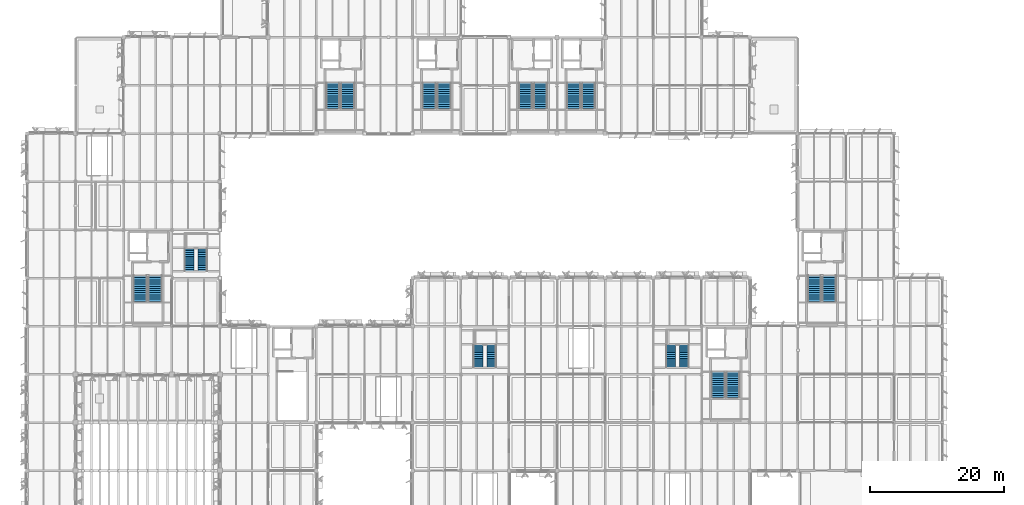
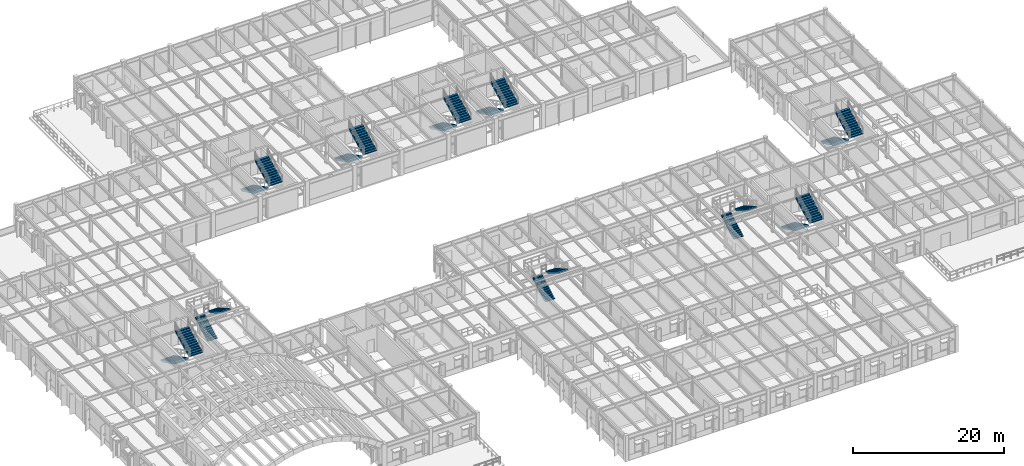
# One storey, part 44 of 85: 20 stair flights, 10 elements without a shape of their own.
"""IFC4 building model written with IfcOpenShell, lengths in metres."""

from ifc_helpers import new_model, si_unit, direction, frame, origin, place, context, subcontext, project, spatial, polyline, outline, extrude, material, type_object, element, aggregate, save


model = new_model("IFC4")

# Units and contexts
model_context = context("Model", 3, precision=1e-05, world=origin(), true_north=direction((0.0, 1.0)))
body_context = subcontext(model_context, "Body", "Model", "MODEL_VIEW")
ifc_project = project(units=[si_unit("LENGTHUNIT", "METRE"), si_unit("AREAUNIT", "SQUARE_METRE"), si_unit("VOLUMEUNIT", "CUBIC_METRE"), si_unit("PLANEANGLEUNIT", "RADIAN"), si_unit("MASSUNIT", "GRAM", prefix="KILO")], contexts=[model_context])

# Site, building, storey
site_placement = place(None, origin())
site = spatial("IfcSite", under=ifc_project, at=site_placement, CompositionType="ELEMENT")
building_placement = place(site_placement, origin())
building = spatial("IfcBuilding", under=site, at=building_placement, Name="Sillqori Civic Hall", CompositionType="ELEMENT")
storey_placement = place(building_placement, frame((0.0, 0.0, 9.89990234375)))
storey = spatial("IfcBuildingStorey", under=building, at=storey_placement, Name="L03", CompositionType="ELEMENT", Elevation=9.89990234375)

# Stair, stair flights
ifc_material_1 = material(Name="Concrete C35/45 (H35)", Category="concrete")
stair_type_1 = type_object("IfcStairType", Name="STR-CORE-02", PredefinedType="DOUBLE_RETURN_STAIR", material=ifc_material_1)
stair_1_placement = place(storey_placement, origin())
stair_1 = element("IfcStair", 1, at=stair_1_placement, inside=storey, type_object=stair_type_1, Name="L03 Core exit stair ST-02", PredefinedType="DOUBLE_RETURN_STAIR")
stair_flight_type_1 = type_object("IfcStairFlightType", Name="SFL-CORE-220", PredefinedType="STRAIGHT", material=ifc_material_1)
stair_flight_1_placement = place(storey_placement, frame((124.889892578125, 57.969970703125, 0.0), z_axis=(0.0, 0.0, 1.0), x_axis=(0.0, -1.0, 0.0)))
stair_flight_1 = element("IfcStairFlight", 2, at=stair_flight_1_placement, type_object=stair_flight_type_1, Name="ST-02 flight 1", NumberOfRisers=13, NumberOfTreads=12, PredefinedType="STRAIGHT", RiserHeight=0.161538462, TreadLength=0.32, context=body_context, shape_type="SweptSolid", body=[
    extrude(outline(polyline([(0.0, 0.0), (0.0, 0.16162109375), (0.320068359375, 0.16162109375), (0.320068359375, 0.322998046875), (0.639892578125, 0.322998046875), (0.639892578125, 0.484619140625), (0.9599609375, 0.484619140625), (0.9599609375, 0.646240234375), (1.280029296875, 0.646240234375), (1.280029296875, 0.8076171875), (1.60009765625, 0.8076171875), (1.60009765625, 0.96923828125), (1.919921875, 0.96923828125), (1.919921875, 1.130859375), (2.239990234375, 1.130859375), (2.239990234375, 1.292236328125), (2.56005859375, 1.292236328125), (2.56005859375, 1.453857421875), (2.8798828125, 1.453857421875), (2.8798828125, 1.615478515625), (3.199951171875, 1.615478515625), (3.199951171875, 1.77685546875), (3.52001953125, 1.77685546875), (3.52001953125, 1.9384765625), (3.840087890625, 1.9384765625), (3.840087890625, 2.10009765625), (3.840087890625, 1.692138671875), (0.488037109375, 0.0), (0.0, 0.0)])), frame((0.0, 1.030029296875, 0.0), z_axis=(0.0, -1.0, 0.0), x_axis=(1.0, 0.0, 0.0)), (0.0, 0.0, 1.0), 2.06005859375),
])
stair_flight_2_placement = place(storey_placement, frame((127.110107421875, 54.1298828125, 2.10009765625), z_axis=(0.0, 0.0, 1.0), x_axis=(0.0, 1.0, 0.0)))
stair_flight_2 = element("IfcStairFlight", 3, at=stair_flight_2_placement, type_object=stair_flight_type_1, Name="ST-02 flight 2", NumberOfRisers=13, NumberOfTreads=12, PredefinedType="STRAIGHT", RiserHeight=0.161538462, TreadLength=0.32, context=body_context, shape_type="SweptSolid", body=[
    extrude(outline(polyline([(0.0, 0.0), (0.0, 0.16162109375), (0.320068359375, 0.16162109375), (0.320068359375, 0.322998046875), (0.639892578125, 0.322998046875), (0.639892578125, 0.484619140625), (0.9599609375, 0.484619140625), (0.9599609375, 0.646240234375), (1.280029296875, 0.646240234375), (1.280029296875, 0.8076171875), (1.60009765625, 0.8076171875), (1.60009765625, 0.96923828125), (1.919921875, 0.96923828125), (1.919921875, 1.130859375), (2.239990234375, 1.130859375), (2.239990234375, 1.292236328125), (2.56005859375, 1.292236328125), (2.56005859375, 1.453857421875), (2.8798828125, 1.453857421875), (2.8798828125, 1.615478515625), (3.199951171875, 1.615478515625), (3.199951171875, 1.77685546875), (3.52001953125, 1.77685546875), (3.52001953125, 1.9384765625), (3.840087890625, 1.9384765625), (3.840087890625, 2.10009765625), (3.840087890625, 1.692138671875), (0.488037109375, 0.0), (0.0, 0.0)])), frame((0.0, 1.030029296875, 0.0), z_axis=(0.0, -1.0, 0.0), x_axis=(1.0, 0.0, 0.0)), (0.0, 0.0, 1.0), 2.06005859375),
])
aggregate(stair_1, [stair_flight_1, stair_flight_2])

stair_type_2 = type_object("IfcStairType", Name="STR-CORE-03", PredefinedType="DOUBLE_RETURN_STAIR", material=ifc_material_1)
stair_2_placement = place(storey_placement, origin())
stair_2 = element("IfcStair", 4, at=stair_2_placement, inside=storey, type_object=stair_type_2, Name="L03 Core exit stair ST-03", PredefinedType="DOUBLE_RETURN_STAIR")
stair_flight_3_placement = place(storey_placement, frame((110.489990234375, 43.570068359375, 0.0), z_axis=(0.0, 0.0, 1.0), x_axis=(0.0, -1.0, 0.0)))
stair_flight_3 = element("IfcStairFlight", 5, at=stair_flight_3_placement, type_object=stair_flight_type_1, Name="ST-03 flight 1", NumberOfRisers=13, NumberOfTreads=12, PredefinedType="STRAIGHT", RiserHeight=0.161538462, TreadLength=0.32, context=body_context, shape_type="SweptSolid", body=[
    extrude(outline(polyline([(0.0, 0.0), (0.0, 0.16162109375), (0.320068359375, 0.16162109375), (0.320068359375, 0.322998046875), (0.639892578125, 0.322998046875), (0.639892578125, 0.484619140625), (0.9599609375, 0.484619140625), (0.9599609375, 0.646240234375), (1.280029296875, 0.646240234375), (1.280029296875, 0.8076171875), (1.60009765625, 0.8076171875), (1.60009765625, 0.96923828125), (1.919921875, 0.96923828125), (1.919921875, 1.130859375), (2.239990234375, 1.130859375), (2.239990234375, 1.292236328125), (2.56005859375, 1.292236328125), (2.56005859375, 1.453857421875), (2.8798828125, 1.453857421875), (2.8798828125, 1.615478515625), (3.199951171875, 1.615478515625), (3.199951171875, 1.77685546875), (3.52001953125, 1.77685546875), (3.52001953125, 1.9384765625), (3.840087890625, 1.9384765625), (3.840087890625, 2.10009765625), (3.840087890625, 1.692138671875), (0.488037109375, 0.0), (0.0, 0.0)])), frame((0.0, 1.030029296875, 0.0), z_axis=(0.0, -1.0, 0.0), x_axis=(1.0, 0.0, 0.0)), (0.0, 0.0, 1.0), 2.06005859375),
])
stair_flight_4_placement = place(storey_placement, frame((112.7099609375, 39.72998046875, 2.10009765625), z_axis=(0.0, 0.0, 1.0), x_axis=(0.0, 1.0, 0.0)))
stair_flight_4 = element("IfcStairFlight", 6, at=stair_flight_4_placement, type_object=stair_flight_type_1, Name="ST-03 flight 2", NumberOfRisers=13, NumberOfTreads=12, PredefinedType="STRAIGHT", RiserHeight=0.161538462, TreadLength=0.32, context=body_context, shape_type="SweptSolid", body=[
    extrude(outline(polyline([(0.0, 0.0), (0.0, 0.16162109375), (0.320068359375, 0.16162109375), (0.320068359375, 0.322998046875), (0.639892578125, 0.322998046875), (0.639892578125, 0.484619140625), (0.9599609375, 0.484619140625), (0.9599609375, 0.646240234375), (1.280029296875, 0.646240234375), (1.280029296875, 0.8076171875), (1.60009765625, 0.8076171875), (1.60009765625, 0.96923828125), (1.919921875, 0.96923828125), (1.919921875, 1.130859375), (2.239990234375, 1.130859375), (2.239990234375, 1.292236328125), (2.56005859375, 1.292236328125), (2.56005859375, 1.453857421875), (2.8798828125, 1.453857421875), (2.8798828125, 1.615478515625), (3.199951171875, 1.615478515625), (3.199951171875, 1.77685546875), (3.52001953125, 1.77685546875), (3.52001953125, 1.9384765625), (3.840087890625, 1.9384765625), (3.840087890625, 2.10009765625), (3.840087890625, 1.692138671875), (0.488037109375, 0.0), (0.0, 0.0)])), frame((0.0, 1.030029296875, 0.0), z_axis=(0.0, -1.0, 0.0), x_axis=(1.0, 0.0, 0.0)), (0.0, 0.0, 1.0), 2.06005859375),
])
aggregate(stair_2, [stair_flight_3, stair_flight_4])

stair_type_3 = type_object("IfcStairType", Name="STR-CORE-04", PredefinedType="DOUBLE_RETURN_STAIR", material=ifc_material_1)
stair_3_placement = place(storey_placement, origin())
stair_3 = element("IfcStair", 7, at=stair_3_placement, inside=storey, type_object=stair_type_3, Name="L03 Core exit stair ST-04", PredefinedType="DOUBLE_RETURN_STAIR")
stair_flight_5_placement = place(storey_placement, frame((24.090087890625, 57.969970703125, 0.0), z_axis=(0.0, 0.0, 1.0), x_axis=(0.0, -1.0, 0.0)))
stair_flight_5 = element("IfcStairFlight", 8, at=stair_flight_5_placement, type_object=stair_flight_type_1, Name="ST-04 flight 1", NumberOfRisers=13, NumberOfTreads=12, PredefinedType="STRAIGHT", RiserHeight=0.161538462, TreadLength=0.32, context=body_context, shape_type="SweptSolid", body=[
    extrude(outline(polyline([(0.0, 0.0), (0.0, 0.16162109375), (0.320068359375, 0.16162109375), (0.320068359375, 0.322998046875), (0.639892578125, 0.322998046875), (0.639892578125, 0.484619140625), (0.9599609375, 0.484619140625), (0.9599609375, 0.646240234375), (1.280029296875, 0.646240234375), (1.280029296875, 0.8076171875), (1.60009765625, 0.8076171875), (1.60009765625, 0.96923828125), (1.919921875, 0.96923828125), (1.919921875, 1.130859375), (2.239990234375, 1.130859375), (2.239990234375, 1.292236328125), (2.56005859375, 1.292236328125), (2.56005859375, 1.453857421875), (2.8798828125, 1.453857421875), (2.8798828125, 1.615478515625), (3.199951171875, 1.615478515625), (3.199951171875, 1.77685546875), (3.52001953125, 1.77685546875), (3.52001953125, 1.9384765625), (3.840087890625, 1.9384765625), (3.840087890625, 2.10009765625), (3.840087890625, 1.692138671875), (0.488037109375, 0.0), (0.0, 0.0)])), frame((0.0, 1.030029296875, 0.0), z_axis=(0.0, -1.0, 0.0), x_axis=(1.0, 0.0, 0.0)), (0.0, 0.0, 1.0), 2.06005859375),
])
stair_flight_6_placement = place(storey_placement, frame((26.31005859375, 54.1298828125, 2.10009765625), z_axis=(0.0, 0.0, 1.0), x_axis=(0.0, 1.0, 0.0)))
stair_flight_6 = element("IfcStairFlight", 9, at=stair_flight_6_placement, type_object=stair_flight_type_1, Name="ST-04 flight 2", NumberOfRisers=13, NumberOfTreads=12, PredefinedType="STRAIGHT", RiserHeight=0.161538462, TreadLength=0.32, context=body_context, shape_type="SweptSolid", body=[
    extrude(outline(polyline([(0.0, 0.0), (0.0, 0.16162109375), (0.320068359375, 0.16162109375), (0.320068359375, 0.322998046875), (0.639892578125, 0.322998046875), (0.639892578125, 0.484619140625), (0.9599609375, 0.484619140625), (0.9599609375, 0.646240234375), (1.280029296875, 0.646240234375), (1.280029296875, 0.8076171875), (1.60009765625, 0.8076171875), (1.60009765625, 0.96923828125), (1.919921875, 0.96923828125), (1.919921875, 1.130859375), (2.239990234375, 1.130859375), (2.239990234375, 1.292236328125), (2.56005859375, 1.292236328125), (2.56005859375, 1.453857421875), (2.8798828125, 1.453857421875), (2.8798828125, 1.615478515625), (3.199951171875, 1.615478515625), (3.199951171875, 1.77685546875), (3.52001953125, 1.77685546875), (3.52001953125, 1.9384765625), (3.840087890625, 1.9384765625), (3.840087890625, 2.10009765625), (3.840087890625, 1.692138671875), (0.488037109375, 0.0), (0.0, 0.0)])), frame((0.0, 1.030029296875, 0.0), z_axis=(0.0, -1.0, 0.0), x_axis=(1.0, 0.0, 0.0)), (0.0, 0.0, 1.0), 2.06005859375),
])
aggregate(stair_3, [stair_flight_5, stair_flight_6])

stair_type_4 = type_object("IfcStairType", Name="STR-CORE-05", PredefinedType="DOUBLE_RETURN_STAIR", material=ifc_material_1)
stair_4_placement = place(storey_placement, origin())
stair_4 = element("IfcStair", 10, at=stair_4_placement, inside=storey, type_object=stair_type_4, Name="L03 Core exit stair ST-05", PredefinedType="DOUBLE_RETURN_STAIR")
stair_flight_7_placement = place(storey_placement, frame((52.889892578125, 86.77001953125, 0.0), z_axis=(0.0, 0.0, 1.0), x_axis=(0.0, -1.0, 0.0)))
stair_flight_7 = element("IfcStairFlight", 11, at=stair_flight_7_placement, type_object=stair_flight_type_1, Name="ST-05 flight 1", NumberOfRisers=13, NumberOfTreads=12, PredefinedType="STRAIGHT", RiserHeight=0.161538462, TreadLength=0.32, context=body_context, shape_type="SweptSolid", body=[
    extrude(outline(polyline([(0.0, 0.0), (0.0, 0.16162109375), (0.320068359375, 0.16162109375), (0.320068359375, 0.322998046875), (0.639892578125, 0.322998046875), (0.639892578125, 0.484619140625), (0.9599609375, 0.484619140625), (0.9599609375, 0.646240234375), (1.280029296875, 0.646240234375), (1.280029296875, 0.8076171875), (1.60009765625, 0.8076171875), (1.60009765625, 0.96923828125), (1.919921875, 0.96923828125), (1.919921875, 1.130859375), (2.239990234375, 1.130859375), (2.239990234375, 1.292236328125), (2.56005859375, 1.292236328125), (2.56005859375, 1.453857421875), (2.8798828125, 1.453857421875), (2.8798828125, 1.615478515625), (3.199951171875, 1.615478515625), (3.199951171875, 1.77685546875), (3.52001953125, 1.77685546875), (3.52001953125, 1.9384765625), (3.840087890625, 1.9384765625), (3.840087890625, 2.10009765625), (3.840087890625, 1.692138671875), (0.488037109375, 0.0), (0.0, 0.0)])), frame((0.0, 1.030029296875, 0.0), z_axis=(0.0, -1.0, 0.0), x_axis=(1.0, 0.0, 0.0)), (0.0, 0.0, 1.0), 2.06005859375),
])
stair_flight_8_placement = place(storey_placement, frame((55.110107421875, 82.929931640625, 2.10009765625), z_axis=(0.0, 0.0, 1.0), x_axis=(0.0, 1.0, 0.0)))
stair_flight_8 = element("IfcStairFlight", 12, at=stair_flight_8_placement, type_object=stair_flight_type_1, Name="ST-05 flight 2", NumberOfRisers=13, NumberOfTreads=12, PredefinedType="STRAIGHT", RiserHeight=0.161538462, TreadLength=0.32, context=body_context, shape_type="SweptSolid", body=[
    extrude(outline(polyline([(0.0, 0.0), (0.0, 0.16162109375), (0.320068359375, 0.16162109375), (0.320068359375, 0.322998046875), (0.639892578125, 0.322998046875), (0.639892578125, 0.484619140625), (0.9599609375, 0.484619140625), (0.9599609375, 0.646240234375), (1.280029296875, 0.646240234375), (1.280029296875, 0.8076171875), (1.60009765625, 0.8076171875), (1.60009765625, 0.96923828125), (1.919921875, 0.96923828125), (1.919921875, 1.130859375), (2.239990234375, 1.130859375), (2.239990234375, 1.292236328125), (2.56005859375, 1.292236328125), (2.56005859375, 1.453857421875), (2.8798828125, 1.453857421875), (2.8798828125, 1.615478515625), (3.199951171875, 1.615478515625), (3.199951171875, 1.77685546875), (3.52001953125, 1.77685546875), (3.52001953125, 1.9384765625), (3.840087890625, 1.9384765625), (3.840087890625, 2.10009765625), (3.840087890625, 1.692138671875), (0.488037109375, 0.0), (0.0, 0.0)])), frame((0.0, 1.030029296875, 0.0), z_axis=(0.0, -1.0, 0.0), x_axis=(1.0, 0.0, 0.0)), (0.0, 0.0, 1.0), 2.06005859375),
])
aggregate(stair_4, [stair_flight_7, stair_flight_8])

stair_type_5 = type_object("IfcStairType", Name="STR-CORE-06", PredefinedType="DOUBLE_RETURN_STAIR", material=ifc_material_1)
stair_5_placement = place(storey_placement, origin())
stair_5 = element("IfcStair", 13, at=stair_5_placement, inside=storey, type_object=stair_type_5, Name="L03 Core exit stair ST-06", PredefinedType="DOUBLE_RETURN_STAIR")
stair_flight_9_placement = place(storey_placement, frame((67.2900390625, 86.77001953125, 0.0), z_axis=(0.0, 0.0, 1.0), x_axis=(0.0, -1.0, 0.0)))
stair_flight_9 = element("IfcStairFlight", 14, at=stair_flight_9_placement, type_object=stair_flight_type_1, Name="ST-06 flight 1", NumberOfRisers=13, NumberOfTreads=12, PredefinedType="STRAIGHT", RiserHeight=0.161538462, TreadLength=0.32, context=body_context, shape_type="SweptSolid", body=[
    extrude(outline(polyline([(0.0, 0.0), (0.0, 0.16162109375), (0.320068359375, 0.16162109375), (0.320068359375, 0.322998046875), (0.639892578125, 0.322998046875), (0.639892578125, 0.484619140625), (0.9599609375, 0.484619140625), (0.9599609375, 0.646240234375), (1.280029296875, 0.646240234375), (1.280029296875, 0.8076171875), (1.60009765625, 0.8076171875), (1.60009765625, 0.96923828125), (1.919921875, 0.96923828125), (1.919921875, 1.130859375), (2.239990234375, 1.130859375), (2.239990234375, 1.292236328125), (2.56005859375, 1.292236328125), (2.56005859375, 1.453857421875), (2.8798828125, 1.453857421875), (2.8798828125, 1.615478515625), (3.199951171875, 1.615478515625), (3.199951171875, 1.77685546875), (3.52001953125, 1.77685546875), (3.52001953125, 1.9384765625), (3.840087890625, 1.9384765625), (3.840087890625, 2.10009765625), (3.840087890625, 1.692138671875), (0.488037109375, 0.0), (0.0, 0.0)])), frame((0.0, 1.030029296875, 0.0), z_axis=(0.0, -1.0, 0.0), x_axis=(1.0, 0.0, 0.0)), (0.0, 0.0, 1.0), 2.06005859375),
])
stair_flight_10_placement = place(storey_placement, frame((69.510009765625, 82.929931640625, 2.10009765625), z_axis=(0.0, 0.0, 1.0), x_axis=(0.0, 1.0, 0.0)))
stair_flight_10 = element("IfcStairFlight", 15, at=stair_flight_10_placement, type_object=stair_flight_type_1, Name="ST-06 flight 2", NumberOfRisers=13, NumberOfTreads=12, PredefinedType="STRAIGHT", RiserHeight=0.161538462, TreadLength=0.32, context=body_context, shape_type="SweptSolid", body=[
    extrude(outline(polyline([(0.0, 0.0), (0.0, 0.16162109375), (0.320068359375, 0.16162109375), (0.320068359375, 0.322998046875), (0.639892578125, 0.322998046875), (0.639892578125, 0.484619140625), (0.9599609375, 0.484619140625), (0.9599609375, 0.646240234375), (1.280029296875, 0.646240234375), (1.280029296875, 0.8076171875), (1.60009765625, 0.8076171875), (1.60009765625, 0.96923828125), (1.919921875, 0.96923828125), (1.919921875, 1.130859375), (2.239990234375, 1.130859375), (2.239990234375, 1.292236328125), (2.56005859375, 1.292236328125), (2.56005859375, 1.453857421875), (2.8798828125, 1.453857421875), (2.8798828125, 1.615478515625), (3.199951171875, 1.615478515625), (3.199951171875, 1.77685546875), (3.52001953125, 1.77685546875), (3.52001953125, 1.9384765625), (3.840087890625, 1.9384765625), (3.840087890625, 2.10009765625), (3.840087890625, 1.692138671875), (0.488037109375, 0.0), (0.0, 0.0)])), frame((0.0, 1.030029296875, 0.0), z_axis=(0.0, -1.0, 0.0), x_axis=(1.0, 0.0, 0.0)), (0.0, 0.0, 1.0), 2.06005859375),
])
aggregate(stair_5, [stair_flight_9, stair_flight_10])

stair_type_6 = type_object("IfcStairType", Name="STR-CORE-07", PredefinedType="DOUBLE_RETURN_STAIR", material=ifc_material_1)
stair_6_placement = place(storey_placement, origin())
stair_6 = element("IfcStair", 16, at=stair_6_placement, inside=storey, type_object=stair_type_6, Name="L03 Core exit stair ST-07", PredefinedType="DOUBLE_RETURN_STAIR")
stair_flight_11_placement = place(storey_placement, frame((81.68994140625, 86.77001953125, 0.0), z_axis=(0.0, 0.0, 1.0), x_axis=(0.0, -1.0, 0.0)))
stair_flight_11 = element("IfcStairFlight", 17, at=stair_flight_11_placement, type_object=stair_flight_type_1, Name="ST-07 flight 1", NumberOfRisers=13, NumberOfTreads=12, PredefinedType="STRAIGHT", RiserHeight=0.161538462, TreadLength=0.32, context=body_context, shape_type="SweptSolid", body=[
    extrude(outline(polyline([(0.0, 0.0), (0.0, 0.16162109375), (0.320068359375, 0.16162109375), (0.320068359375, 0.322998046875), (0.639892578125, 0.322998046875), (0.639892578125, 0.484619140625), (0.9599609375, 0.484619140625), (0.9599609375, 0.646240234375), (1.280029296875, 0.646240234375), (1.280029296875, 0.8076171875), (1.60009765625, 0.8076171875), (1.60009765625, 0.96923828125), (1.919921875, 0.96923828125), (1.919921875, 1.130859375), (2.239990234375, 1.130859375), (2.239990234375, 1.292236328125), (2.56005859375, 1.292236328125), (2.56005859375, 1.453857421875), (2.8798828125, 1.453857421875), (2.8798828125, 1.615478515625), (3.199951171875, 1.615478515625), (3.199951171875, 1.77685546875), (3.52001953125, 1.77685546875), (3.52001953125, 1.9384765625), (3.840087890625, 1.9384765625), (3.840087890625, 2.10009765625), (3.840087890625, 1.692138671875), (0.488037109375, 0.0), (0.0, 0.0)])), frame((0.0, 1.030029296875, 0.0), z_axis=(0.0, -1.0, 0.0), x_axis=(1.0, 0.0, 0.0)), (0.0, 0.0, 1.0), 2.06005859375),
])
stair_flight_12_placement = place(storey_placement, frame((83.909912109375, 82.929931640625, 2.10009765625), z_axis=(0.0, 0.0, 1.0), x_axis=(0.0, 1.0, 0.0)))
stair_flight_12 = element("IfcStairFlight", 18, at=stair_flight_12_placement, type_object=stair_flight_type_1, Name="ST-07 flight 2", NumberOfRisers=13, NumberOfTreads=12, PredefinedType="STRAIGHT", RiserHeight=0.161538462, TreadLength=0.32, context=body_context, shape_type="SweptSolid", body=[
    extrude(outline(polyline([(0.0, 0.0), (0.0, 0.16162109375), (0.320068359375, 0.16162109375), (0.320068359375, 0.322998046875), (0.639892578125, 0.322998046875), (0.639892578125, 0.484619140625), (0.9599609375, 0.484619140625), (0.9599609375, 0.646240234375), (1.280029296875, 0.646240234375), (1.280029296875, 0.8076171875), (1.60009765625, 0.8076171875), (1.60009765625, 0.96923828125), (1.919921875, 0.96923828125), (1.919921875, 1.130859375), (2.239990234375, 1.130859375), (2.239990234375, 1.292236328125), (2.56005859375, 1.292236328125), (2.56005859375, 1.453857421875), (2.8798828125, 1.453857421875), (2.8798828125, 1.615478515625), (3.199951171875, 1.615478515625), (3.199951171875, 1.77685546875), (3.52001953125, 1.77685546875), (3.52001953125, 1.9384765625), (3.840087890625, 1.9384765625), (3.840087890625, 2.10009765625), (3.840087890625, 1.692138671875), (0.488037109375, 0.0), (0.0, 0.0)])), frame((0.0, 1.030029296875, 0.0), z_axis=(0.0, -1.0, 0.0), x_axis=(1.0, 0.0, 0.0)), (0.0, 0.0, 1.0), 2.06005859375),
])
aggregate(stair_6, [stair_flight_11, stair_flight_12])

stair_type_7 = type_object("IfcStairType", Name="STR-CORE-08", PredefinedType="DOUBLE_RETURN_STAIR", material=ifc_material_1)
stair_7_placement = place(storey_placement, origin())
stair_7 = element("IfcStair", 19, at=stair_7_placement, inside=storey, type_object=stair_type_7, Name="L03 Core exit stair ST-08", PredefinedType="DOUBLE_RETURN_STAIR")
stair_flight_13_placement = place(storey_placement, frame((88.889892578125, 86.77001953125, 0.0), z_axis=(0.0, 0.0, 1.0), x_axis=(0.0, -1.0, 0.0)))
stair_flight_13 = element("IfcStairFlight", 20, at=stair_flight_13_placement, type_object=stair_flight_type_1, Name="ST-08 flight 1", NumberOfRisers=13, NumberOfTreads=12, PredefinedType="STRAIGHT", RiserHeight=0.161538462, TreadLength=0.32, context=body_context, shape_type="SweptSolid", body=[
    extrude(outline(polyline([(0.0, 0.0), (0.0, 0.16162109375), (0.320068359375, 0.16162109375), (0.320068359375, 0.322998046875), (0.639892578125, 0.322998046875), (0.639892578125, 0.484619140625), (0.9599609375, 0.484619140625), (0.9599609375, 0.646240234375), (1.280029296875, 0.646240234375), (1.280029296875, 0.8076171875), (1.60009765625, 0.8076171875), (1.60009765625, 0.96923828125), (1.919921875, 0.96923828125), (1.919921875, 1.130859375), (2.239990234375, 1.130859375), (2.239990234375, 1.292236328125), (2.56005859375, 1.292236328125), (2.56005859375, 1.453857421875), (2.8798828125, 1.453857421875), (2.8798828125, 1.615478515625), (3.199951171875, 1.615478515625), (3.199951171875, 1.77685546875), (3.52001953125, 1.77685546875), (3.52001953125, 1.9384765625), (3.840087890625, 1.9384765625), (3.840087890625, 2.10009765625), (3.840087890625, 1.692138671875), (0.488037109375, 0.0), (0.0, 0.0)])), frame((0.0, 1.030029296875, 0.0), z_axis=(0.0, -1.0, 0.0), x_axis=(1.0, 0.0, 0.0)), (0.0, 0.0, 1.0), 2.06005859375),
])
stair_flight_14_placement = place(storey_placement, frame((91.110107421875, 82.929931640625, 2.10009765625), z_axis=(0.0, 0.0, 1.0), x_axis=(0.0, 1.0, 0.0)))
stair_flight_14 = element("IfcStairFlight", 21, at=stair_flight_14_placement, type_object=stair_flight_type_1, Name="ST-08 flight 2", NumberOfRisers=13, NumberOfTreads=12, PredefinedType="STRAIGHT", RiserHeight=0.161538462, TreadLength=0.32, context=body_context, shape_type="SweptSolid", body=[
    extrude(outline(polyline([(0.0, 0.0), (0.0, 0.16162109375), (0.320068359375, 0.16162109375), (0.320068359375, 0.322998046875), (0.639892578125, 0.322998046875), (0.639892578125, 0.484619140625), (0.9599609375, 0.484619140625), (0.9599609375, 0.646240234375), (1.280029296875, 0.646240234375), (1.280029296875, 0.8076171875), (1.60009765625, 0.8076171875), (1.60009765625, 0.96923828125), (1.919921875, 0.96923828125), (1.919921875, 1.130859375), (2.239990234375, 1.130859375), (2.239990234375, 1.292236328125), (2.56005859375, 1.292236328125), (2.56005859375, 1.453857421875), (2.8798828125, 1.453857421875), (2.8798828125, 1.615478515625), (3.199951171875, 1.615478515625), (3.199951171875, 1.77685546875), (3.52001953125, 1.77685546875), (3.52001953125, 1.9384765625), (3.840087890625, 1.9384765625), (3.840087890625, 2.10009765625), (3.840087890625, 1.692138671875), (0.488037109375, 0.0), (0.0, 0.0)])), frame((0.0, 1.030029296875, 0.0), z_axis=(0.0, -1.0, 0.0), x_axis=(1.0, 0.0, 0.0)), (0.0, 0.0, 1.0), 2.06005859375),
])
aggregate(stair_7, [stair_flight_13, stair_flight_14])

ifc_material_2 = material(Name="Steel ASTM A992 and Honed Limestone Treads", Category="masonry")
stair_type_8 = type_object("IfcStairType", Name="STR-MON-420", PredefinedType="STRAIGHT_RUN_STAIR", material=ifc_material_2)
stair_8_placement = place(storey_placement, origin())
stair_8 = element("IfcStair", 22, at=stair_8_placement, inside=storey, type_object=stair_type_8, Name="Wedge Atrium Upper West Stair L03-L04", PredefinedType="STRAIGHT_RUN_STAIR")
stair_flight_type_2 = type_object("IfcStairFlightType", Name="SFL-MON-165", PredefinedType="STRAIGHT", material=ifc_material_1)
stair_flight_15_placement = place(storey_placement, frame((74.56494140625, 44.199951171875, 0.0), z_axis=(0.0, 0.0, 1.0), x_axis=(0.0, 1.0, 0.0)))
stair_flight_15 = element("IfcStairFlight", 23, at=stair_flight_15_placement, type_object=stair_flight_type_2, Name="MS-03 flight 1", NumberOfRisers=13, NumberOfTreads=12, PredefinedType="STRAIGHT", RiserHeight=0.161538, TreadLength=0.28, context=body_context, shape_type="SweptSolid", body=[
    extrude(outline(polyline([(0.0, 0.0), (0.0, 0.16162109375), (0.280029296875, 0.16162109375), (0.280029296875, 0.322998046875), (0.56005859375, 0.322998046875), (0.56005859375, 0.484619140625), (0.840087890625, 0.484619140625), (0.840087890625, 0.646240234375), (1.1201171875, 0.646240234375), (1.1201171875, 0.8076171875), (1.39990234375, 0.8076171875), (1.39990234375, 0.96923828125), (1.679931640625, 0.96923828125), (1.679931640625, 1.130859375), (1.9599609375, 1.130859375), (1.9599609375, 1.292236328125), (2.239990234375, 1.292236328125), (2.239990234375, 1.453857421875), (2.52001953125, 1.453857421875), (2.52001953125, 1.615478515625), (2.800048828125, 1.615478515625), (2.800048828125, 1.77685546875), (3.080078125, 1.77685546875), (3.080078125, 1.9384765625), (3.360107421875, 1.9384765625), (3.360107421875, 2.10009765625), (3.360107421875, 1.70751953125), (0.400146484375, 0.0), (0.0, 0.0)])), frame((0.0, 0.72509765625, 0.0), z_axis=(0.0, -1.0, 0.0), x_axis=(1.0, 0.0, 0.0)), (0.0, 0.0, 1.0), 1.449951171875),
])
stair_flight_16_placement = place(storey_placement, frame((76.635009765625, 47.56005859375, 2.10009765625), z_axis=(0.0, 0.0, 1.0), x_axis=(0.0, -1.0, 0.0)))
stair_flight_16 = element("IfcStairFlight", 24, at=stair_flight_16_placement, type_object=stair_flight_type_2, Name="MS-03 flight 2", NumberOfRisers=13, NumberOfTreads=12, PredefinedType="STRAIGHT", RiserHeight=0.161538, TreadLength=0.28, context=body_context, shape_type="SweptSolid", body=[
    extrude(outline(polyline([(0.0, 0.0), (0.0, 0.16162109375), (0.280029296875, 0.16162109375), (0.280029296875, 0.322998046875), (0.56005859375, 0.322998046875), (0.56005859375, 0.484619140625), (0.840087890625, 0.484619140625), (0.840087890625, 0.646240234375), (1.1201171875, 0.646240234375), (1.1201171875, 0.8076171875), (1.39990234375, 0.8076171875), (1.39990234375, 0.96923828125), (1.679931640625, 0.96923828125), (1.679931640625, 1.130859375), (1.9599609375, 1.130859375), (1.9599609375, 1.292236328125), (2.239990234375, 1.292236328125), (2.239990234375, 1.453857421875), (2.52001953125, 1.453857421875), (2.52001953125, 1.615478515625), (2.800048828125, 1.615478515625), (2.800048828125, 1.77685546875), (3.080078125, 1.77685546875), (3.080078125, 1.9384765625), (3.360107421875, 1.9384765625), (3.360107421875, 2.10009765625), (3.360107421875, 1.70751953125), (0.400146484375, 0.0), (0.0, 0.0)])), frame((0.0, 0.72509765625, 0.0), z_axis=(0.0, -1.0, 0.0), x_axis=(1.0, 0.0, 0.0)), (0.0, 0.0, 1.0), 1.449951171875),
])
aggregate(stair_8, [stair_flight_15, stair_flight_16])

stair_9_placement = place(storey_placement, origin())
stair_9 = element("IfcStair", 25, at=stair_9_placement, inside=storey, type_object=stair_type_8, Name="Wedge Atrium Upper East Stair L03-L04", PredefinedType="STRAIGHT_RUN_STAIR")
stair_flight_17_placement = place(storey_placement, frame((103.364990234375, 44.199951171875, 0.0), z_axis=(0.0, 0.0, 1.0), x_axis=(0.0, 1.0, 0.0)))
stair_flight_17 = element("IfcStairFlight", 26, at=stair_flight_17_placement, type_object=stair_flight_type_2, Name="MS-06 flight 1", NumberOfRisers=13, NumberOfTreads=12, PredefinedType="STRAIGHT", RiserHeight=0.161538, TreadLength=0.28, context=body_context, shape_type="SweptSolid", body=[
    extrude(outline(polyline([(0.0, 0.0), (0.0, 0.16162109375), (0.280029296875, 0.16162109375), (0.280029296875, 0.322998046875), (0.56005859375, 0.322998046875), (0.56005859375, 0.484619140625), (0.840087890625, 0.484619140625), (0.840087890625, 0.646240234375), (1.1201171875, 0.646240234375), (1.1201171875, 0.8076171875), (1.39990234375, 0.8076171875), (1.39990234375, 0.96923828125), (1.679931640625, 0.96923828125), (1.679931640625, 1.130859375), (1.9599609375, 1.130859375), (1.9599609375, 1.292236328125), (2.239990234375, 1.292236328125), (2.239990234375, 1.453857421875), (2.52001953125, 1.453857421875), (2.52001953125, 1.615478515625), (2.800048828125, 1.615478515625), (2.800048828125, 1.77685546875), (3.080078125, 1.77685546875), (3.080078125, 1.9384765625), (3.360107421875, 1.9384765625), (3.360107421875, 2.10009765625), (3.360107421875, 1.70751953125), (0.400146484375, 0.0), (0.0, 0.0)])), frame((0.0, 0.72509765625, 0.0), z_axis=(0.0, -1.0, 0.0), x_axis=(1.0, 0.0, 0.0)), (0.0, 0.0, 1.0), 1.449951171875),
])
stair_flight_18_placement = place(storey_placement, frame((105.43505859375, 47.56005859375, 2.10009765625), z_axis=(0.0, 0.0, 1.0), x_axis=(0.0, -1.0, 0.0)))
stair_flight_18 = element("IfcStairFlight", 27, at=stair_flight_18_placement, type_object=stair_flight_type_2, Name="MS-06 flight 2", NumberOfRisers=13, NumberOfTreads=12, PredefinedType="STRAIGHT", RiserHeight=0.161538, TreadLength=0.28, context=body_context, shape_type="SweptSolid", body=[
    extrude(outline(polyline([(0.0, 0.0), (0.0, 0.16162109375), (0.280029296875, 0.16162109375), (0.280029296875, 0.322998046875), (0.56005859375, 0.322998046875), (0.56005859375, 0.484619140625), (0.840087890625, 0.484619140625), (0.840087890625, 0.646240234375), (1.1201171875, 0.646240234375), (1.1201171875, 0.8076171875), (1.39990234375, 0.8076171875), (1.39990234375, 0.96923828125), (1.679931640625, 0.96923828125), (1.679931640625, 1.130859375), (1.9599609375, 1.130859375), (1.9599609375, 1.292236328125), (2.239990234375, 1.292236328125), (2.239990234375, 1.453857421875), (2.52001953125, 1.453857421875), (2.52001953125, 1.615478515625), (2.800048828125, 1.615478515625), (2.800048828125, 1.77685546875), (3.080078125, 1.77685546875), (3.080078125, 1.9384765625), (3.360107421875, 1.9384765625), (3.360107421875, 2.10009765625), (3.360107421875, 1.70751953125), (0.400146484375, 0.0), (0.0, 0.0)])), frame((0.0, 0.72509765625, 0.0), z_axis=(0.0, -1.0, 0.0), x_axis=(1.0, 0.0, 0.0)), (0.0, 0.0, 1.0), 1.449951171875),
])
aggregate(stair_9, [stair_flight_17, stair_flight_18])

stair_10_placement = place(storey_placement, origin())
stair_10 = element("IfcStair", 28, at=stair_10_placement, inside=storey, type_object=stair_type_8, Name="Directorate Wing Stair L03-L04", PredefinedType="STRAIGHT_RUN_STAIR")
stair_flight_19_placement = place(storey_placement, frame((31.364990234375, 58.60009765625, 0.0), z_axis=(0.0, 0.0, 1.0), x_axis=(0.0, 1.0, 0.0)))
stair_flight_19 = element("IfcStairFlight", 29, at=stair_flight_19_placement, type_object=stair_flight_type_2, Name="MS-15 flight 1", NumberOfRisers=13, NumberOfTreads=12, PredefinedType="STRAIGHT", RiserHeight=0.161538, TreadLength=0.28, context=body_context, shape_type="SweptSolid", body=[
    extrude(outline(polyline([(0.0, 0.0), (0.0, 0.16162109375), (0.280029296875, 0.16162109375), (0.280029296875, 0.322998046875), (0.56005859375, 0.322998046875), (0.56005859375, 0.484619140625), (0.840087890625, 0.484619140625), (0.840087890625, 0.646240234375), (1.1201171875, 0.646240234375), (1.1201171875, 0.8076171875), (1.39990234375, 0.8076171875), (1.39990234375, 0.96923828125), (1.679931640625, 0.96923828125), (1.679931640625, 1.130859375), (1.9599609375, 1.130859375), (1.9599609375, 1.292236328125), (2.239990234375, 1.292236328125), (2.239990234375, 1.453857421875), (2.52001953125, 1.453857421875), (2.52001953125, 1.615478515625), (2.800048828125, 1.615478515625), (2.800048828125, 1.77685546875), (3.080078125, 1.77685546875), (3.080078125, 1.9384765625), (3.360107421875, 1.9384765625), (3.360107421875, 2.10009765625), (3.360107421875, 1.70751953125), (0.400146484375, 0.0), (0.0, 0.0)])), frame((0.0, 0.72509765625, 0.0), z_axis=(0.0, -1.0, 0.0), x_axis=(1.0, 0.0, 0.0)), (0.0, 0.0, 1.0), 1.449951171875),
])
stair_flight_20_placement = place(storey_placement, frame((33.43505859375, 61.9599609375, 2.10009765625), z_axis=(0.0, 0.0, 1.0), x_axis=(0.0, -1.0, 0.0)))
stair_flight_20 = element("IfcStairFlight", 30, at=stair_flight_20_placement, type_object=stair_flight_type_2, Name="MS-15 flight 2", NumberOfRisers=13, NumberOfTreads=12, PredefinedType="STRAIGHT", RiserHeight=0.161538, TreadLength=0.28, context=body_context, shape_type="SweptSolid", body=[
    extrude(outline(polyline([(0.0, 0.0), (0.0, 0.16162109375), (0.280029296875, 0.16162109375), (0.280029296875, 0.322998046875), (0.56005859375, 0.322998046875), (0.56005859375, 0.484619140625), (0.840087890625, 0.484619140625), (0.840087890625, 0.646240234375), (1.1201171875, 0.646240234375), (1.1201171875, 0.8076171875), (1.39990234375, 0.8076171875), (1.39990234375, 0.96923828125), (1.679931640625, 0.96923828125), (1.679931640625, 1.130859375), (1.9599609375, 1.130859375), (1.9599609375, 1.292236328125), (2.239990234375, 1.292236328125), (2.239990234375, 1.453857421875), (2.52001953125, 1.453857421875), (2.52001953125, 1.615478515625), (2.800048828125, 1.615478515625), (2.800048828125, 1.77685546875), (3.080078125, 1.77685546875), (3.080078125, 1.9384765625), (3.360107421875, 1.9384765625), (3.360107421875, 2.10009765625), (3.360107421875, 1.70751953125), (0.400146484375, 0.0), (0.0, 0.0)])), frame((0.0, 0.72509765625, 0.0), z_axis=(0.0, -1.0, 0.0), x_axis=(1.0, 0.0, 0.0)), (0.0, 0.0, 1.0), 1.449951171875),
])
aggregate(stair_10, [stair_flight_19, stair_flight_20])

save(model, "model.ifc")
